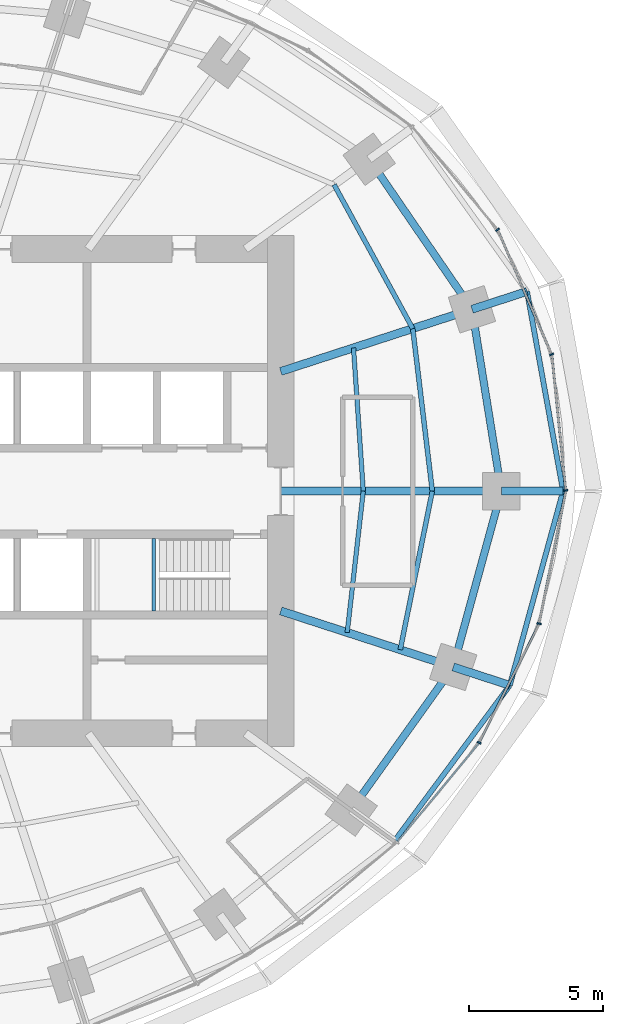
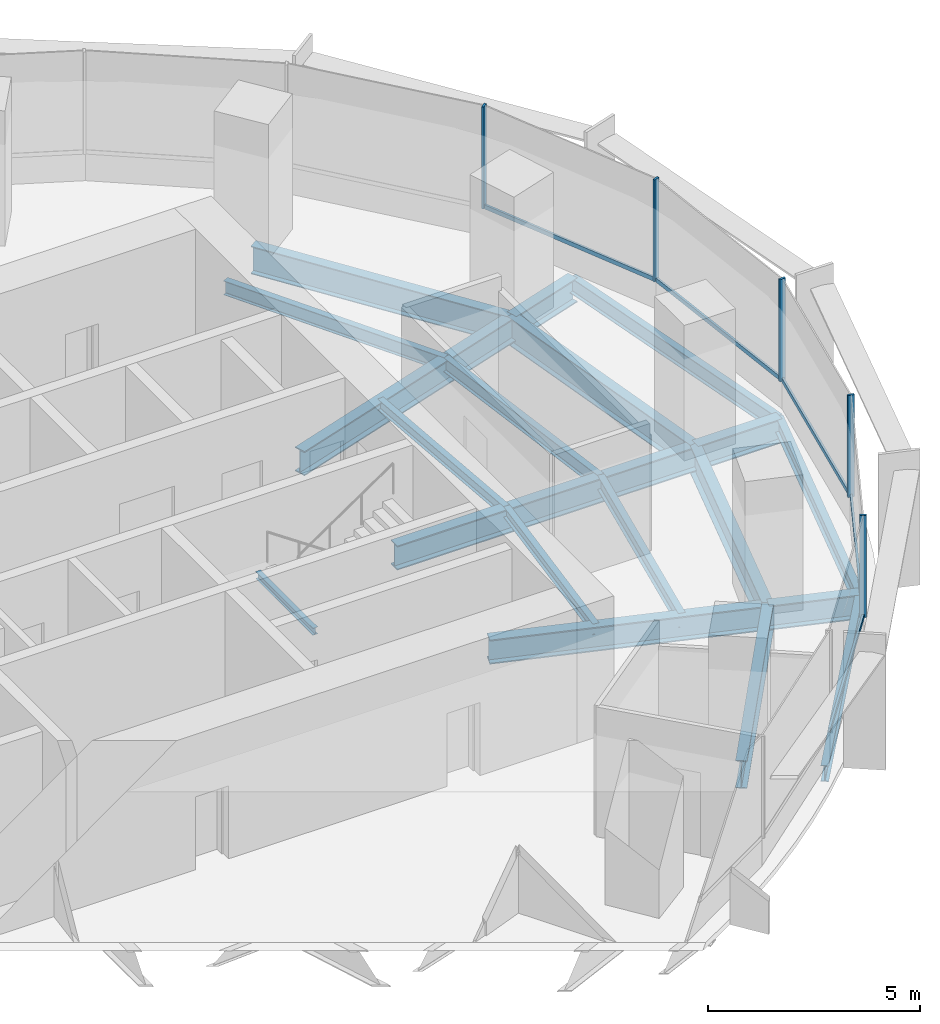
# One storey, part 6 of 15: 19 beams, 10 members, 2 elements without a shape of their own.
"""IFC4 building model written with IfcOpenShell, lengths in metres."""

from ifc_helpers import new_model, si_unit, direction, frame, origin, origin_2d, place, context, subcontext, project, spatial, rectangle, i_section, extrude, material, material_profile, profile_set, type_object, element, aggregate, save


model = new_model("IFC4")

# Units and contexts
model_context = context("Model", 3, precision=1e-05, world=origin(), true_north=direction((0.0, 1.0)))
body_context = subcontext(model_context, "Body", "Model", "MODEL_VIEW")
ifc_project = project(units=[si_unit("LENGTHUNIT", "METRE"), si_unit("AREAUNIT", "SQUARE_METRE"), si_unit("VOLUMEUNIT", "CUBIC_METRE"), si_unit("PLANEANGLEUNIT", "RADIAN"), si_unit("MASSUNIT", "GRAM", prefix="KILO")], contexts=[model_context])

# Site, building, storey
site_placement = place(None, origin())
site = spatial("IfcSite", under=ifc_project, at=site_placement, CompositionType="ELEMENT")
building_placement = place(site_placement, origin())
building = spatial("IfcBuilding", under=site, at=building_placement, Name="Marramba Exchange Tower", CompositionType="ELEMENT")
storey_placement = place(building_placement, frame((0.0, 0.0, 191.60009765625)))
storey = spatial("IfcBuildingStorey", under=building, at=storey_placement, Name="L46", CompositionType="ELEMENT", Elevation=191.60009765625)

# Beams
ifc_material_1 = material(Name="Steel AS/NZS 3679.2 grade 300", Category="steel")
ifc_material_profile_1 = material_profile(ifc_material_1, i_section(OverallWidth=0.300048828125, OverallDepth=0.699951171875, WebThickness=0.010009765625, FlangeThickness=0.031982421875, at=origin_2d()), Name="700WB173")
ifc_profile_set_1 = profile_set([ifc_material_profile_1], Name="Steel AS/NZS 3679.2 grade 300")
beam_type_1 = type_object("IfcBeamType", Name="Cantilever girder 700WB173", PredefinedType="BEAM", material=ifc_profile_set_1)
beam_1_placement = place(storey_placement, frame((21.89990234375, 0.0, -0.510009765625), z_axis=(1.0, 0.0, 0.0), x_axis=(0.0, 1.0, 0.0)))
element("IfcBeam", 1, at=beam_1_placement, inside=storey, type_object=beam_type_1, Name="Cantilever girder L46 TC01", PredefinedType="BEAM", context=body_context, shape_type="SweptSolid", body=[
    extrude(i_section(OverallWidth=0.300048828125, OverallDepth=0.699951171875, WebThickness=0.010009765625, FlangeThickness=0.031982421875, at=origin_2d()), origin(), (0.0, 0.0, 1.0), 2.294189453125),
])
beam_2_placement = place(storey_placement, frame((20.808349609375, 6.760986328125, -0.510009765625), z_axis=(0.951051587859, 0.309032162129, 0.0), x_axis=(-0.309032162129, 0.951051587859, 0.0)))
element("IfcBeam", 2, at=beam_2_placement, inside=storey, type_object=beam_type_1, Name="Cantilever girder L46 TC02", PredefinedType="BEAM", context=body_context, shape_type="SweptSolid", body=[
    extrude(i_section(OverallWidth=0.300048828125, OverallDepth=0.699951171875, WebThickness=0.010009765625, FlangeThickness=0.031982421875, at=origin_2d()), origin(), (0.0, 0.0, 1.0), 2.150390625),
])
beam_3_placement = place(storey_placement, frame((20.109375, -6.533935546875, -0.510009765625), z_axis=(0.951050283347, -0.309036176758, 0.0), x_axis=(0.309036176758, 0.951050283347, 0.0)))
element("IfcBeam", 3, at=beam_3_placement, inside=storey, type_object=beam_type_1, Name="Cantilever girder L46 TC20", PredefinedType="BEAM", context=body_context, shape_type="SweptSolid", body=[
    extrude(i_section(OverallWidth=0.300048828125, OverallDepth=0.699951171875, WebThickness=0.010009765625, FlangeThickness=0.031982421875, at=origin_2d()), origin(), (0.0, 0.0, 1.0), 2.212890625),
])
ifc_material_2 = material(Name="Steel AS/NZS 3679.1 grade 300", Category="steel")
ifc_material_profile_2 = material_profile(ifc_material_2, i_section(OverallWidth=0.166015625, OverallDepth=0.306884765625, WebThickness=0.006591796875, FlangeThickness=0.01171875, FilletRadius=0.011474609375, at=origin_2d()), Name="310UB46.2")
ifc_profile_set_2 = profile_set([ifc_material_profile_2], Name="Steel AS/NZS 3679.1 grade 300")
beam_type_2 = type_object("IfcBeamType", Name="Floor joist 310UB46.2", PredefinedType="JOIST", material=ifc_profile_set_2)
beam_4_placement = place(storey_placement, frame((16.7666015625, 0.0, -0.3134765625), z_axis=(-0.068096259546, 0.99767875563, 0.0), x_axis=(-0.99767875563, -0.068096259546, 0.0)))
element("IfcBeam", 4, at=beam_4_placement, inside=storey, type_object=beam_type_2, Name="Joist L46 bay 01 row 1", PredefinedType="JOIST", context=body_context, shape_type="SweptSolid", body=[
    extrude(i_section(OverallWidth=0.166015625, OverallDepth=0.306884765625, WebThickness=0.006591796875, FlangeThickness=0.01171875, FilletRadius=0.011474609375, at=origin_2d()), origin(), (0.0, 0.0, 1.0), 5.342041015625),
])
beam_5_placement = place(storey_placement, frame((16.169677734375, -5.25390625, -0.3134765625), z_axis=(0.112888968594, 0.993607609054, 0.0), x_axis=(-0.993607609054, 0.112888968594, 0.0)))
element("IfcBeam", 5, at=beam_5_placement, inside=storey, type_object=beam_type_2, Name="Joist L46 bay 20 row 1", PredefinedType="JOIST", context=body_context, shape_type="SweptSolid", body=[
    extrude(i_section(OverallWidth=0.166015625, OverallDepth=0.306884765625, WebThickness=0.006591796875, FlangeThickness=0.01171875, FilletRadius=0.011474609375, at=origin_2d()), origin(), (0.0, 0.0, 1.0), 5.28759765625),
])
ifc_material_profile_3 = material_profile(ifc_material_2, i_section(OverallWidth=0.177978515625, OverallDepth=0.406005859375, WebThickness=0.0078125, FlangeThickness=0.0126953125, FilletRadius=0.011474609375, at=origin_2d()), Name="410UB59.7")
ifc_profile_set_3 = profile_set([ifc_material_profile_3], Name="Steel AS/NZS 3679.1 grade 300")
beam_type_3 = type_object("IfcBeamType", Name="Floor joist 410UB59.7", PredefinedType="JOIST", material=ifc_profile_set_3)
beam_6_placement = place(storey_placement, frame((19.333251953125, 0.0, -0.363037109375), z_axis=(-0.119523078538, 0.992831422597, 0.0), x_axis=(-0.992831422597, -0.119523078538, 0.0)))
element("IfcBeam", 6, at=beam_6_placement, inside=storey, type_object=beam_type_3, Name="Joist L46 bay 01 row 2", PredefinedType="JOIST", context=body_context, shape_type="SweptSolid", body=[
    extrude(i_section(OverallWidth=0.177978515625, OverallDepth=0.406005859375, WebThickness=0.0078125, FlangeThickness=0.0126953125, FilletRadius=0.011474609375, at=origin_2d()), origin(), (0.0, 0.0, 1.0), 6.089111328125),
])
beam_7_placement = place(storey_placement, frame((18.60546875, 6.04541015625, -0.363037109375), z_axis=(-0.479584443791, 0.877495732909, 0.0), x_axis=(-0.877495732909, -0.479584443791, 0.0)))
element("IfcBeam", 7, at=beam_7_placement, inside=storey, type_object=beam_type_3, Name="Joist L46 bay 02 row 2", PredefinedType="JOIST", context=body_context, shape_type="SweptSolid", body=[
    extrude(i_section(OverallWidth=0.177978515625, OverallDepth=0.406005859375, WebThickness=0.0078125, FlangeThickness=0.0126953125, FilletRadius=0.011474609375, at=origin_2d()), origin(), (0.0, 0.0, 1.0), 6.094970703125),
])
beam_8_placement = place(storey_placement, frame((18.1396484375, -5.893798828125, -0.363037109375), z_axis=(0.198489047047, 0.980103105904, 0.0), x_axis=(-0.980103105904, 0.198489047047, 0.0)))
element("IfcBeam", 8, at=beam_8_placement, inside=storey, type_object=beam_type_3, Name="Joist L46 bay 20 row 2", PredefinedType="JOIST", context=body_context, shape_type="SweptSolid", body=[
    extrude(i_section(OverallWidth=0.177978515625, OverallDepth=0.406005859375, WebThickness=0.0078125, FlangeThickness=0.0126953125, FilletRadius=0.011474609375, at=origin_2d()), origin(), (0.0, 0.0, 1.0), 6.013427734375),
])

# Curtain wall, members
ifc_material_3 = material(Name="Aluminium framing, bronze anodised", Category="aluminium")
curtain_wall_type = type_object("IfcCurtainWallType", Name="Office ribbon curtain wall", PredefinedType="USERDEFINED", material=ifc_material_3)
curtain_wall_1_placement = place(storey_placement, origin())
curtain_wall_1 = element("IfcCurtainWall", 9, at=curtain_wall_1_placement, inside=storey, type_object=curtain_wall_type, Name="Curtain wall CW4 L46 F01-F05", ObjectType="RIBBON CURTAIN WALL", PredefinedType="USERDEFINED")
ifc_material_4 = material(Name="Aluminium mullion, bronze anodised", Category="aluminium")
ifc_material_profile_4 = material_profile(ifc_material_4, rectangle(XDim=0.159912109375, YDim=0.06005859375, at=origin_2d()), Name="CW4 mullion 60x160")
ifc_profile_set_4 = profile_set([ifc_material_profile_4], Name="Aluminium mullion, bronze anodised")
member_type_1 = type_object("IfcMemberType", Name="Office ribbon curtain wall mullion", PredefinedType="MULLION", material=ifc_profile_set_4)
member_1_placement = place(storey_placement, frame((24.291015625, 0.02978515625, 0.7998046875), z_axis=(0.0, 0.0, 1.0), x_axis=(-0.994843446001, -0.101422472607, 0.0)))
member_1 = element("IfcMember", 10, at=member_1_placement, type_object=member_type_1, Name="CW4 mullion 1", PredefinedType="MULLION", context=body_context, shape_type="SweptSolid", body=[
    extrude(rectangle(XDim=0.159912109375, YDim=0.06005859375, at=origin_2d()), origin(), (0.0, 0.0, 1.0), 2.940185546875),
])
member_2_placement = place(storey_placement, frame((23.766845703125, 5.081787109375, 0.7998046875), z_axis=(0.0, 0.0, 1.0), x_axis=(-0.918167104527, -0.396193346946, 0.0)))
member_2 = element("IfcMember", 11, at=member_2_placement, type_object=member_type_1, Name="CW4 mullion 1", PredefinedType="MULLION", context=body_context, shape_type="SweptSolid", body=[
    extrude(rectangle(XDim=0.159912109375, YDim=0.06005859375, at=origin_2d()), origin(), (0.0, 0.0, 1.0), 2.940185546875),
])
member_3_placement = place(storey_placement, frame((21.757080078125, 9.718505859375, 0.7998046875), z_axis=(0.0, 0.0, 1.0), x_axis=(-0.770574258342, -0.637350227411, 0.0)))
member_3 = element("IfcMember", 12, at=member_3_placement, type_object=member_type_1, Name="CW4 mullion 1", PredefinedType="MULLION", context=body_context, shape_type="SweptSolid", body=[
    extrude(rectangle(XDim=0.159912109375, YDim=0.06005859375, at=origin_2d()), origin(), (0.0, 0.0, 1.0), 2.940185546875),
])

curtain_wall_2_placement = place(storey_placement, origin())
curtain_wall_2 = element("IfcCurtainWall", 13, at=curtain_wall_2_placement, inside=storey, type_object=curtain_wall_type, Name="Curtain wall CW4 L46 F26-F30", ObjectType="RIBBON CURTAIN WALL", PredefinedType="USERDEFINED")
member_4_placement = place(storey_placement, frame((21.07568359375, -9.3505859375, 0.7998046875), z_axis=(0.0, 0.0, 1.0), x_axis=(-0.892689067591, 0.450673083956, 0.0)))
member_4 = element("IfcMember", 14, at=member_4_placement, type_object=member_type_1, Name="CW4 mullion 1", PredefinedType="MULLION", context=body_context, shape_type="SweptSolid", body=[
    extrude(rectangle(XDim=0.159912109375, YDim=0.06005859375, at=origin_2d()), origin(), (0.0, 0.0, 1.0), 2.940185546875),
])
member_5_placement = place(storey_placement, frame((23.30224609375, -4.92236328125, 0.7998046875), z_axis=(0.0, 0.0, 1.0), x_axis=(-0.980303812539, 0.197495405316, 0.0)))
member_5 = element("IfcMember", 15, at=member_5_placement, type_object=member_type_1, Name="CW4 mullion 1", PredefinedType="MULLION", context=body_context, shape_type="SweptSolid", body=[
    extrude(rectangle(XDim=0.159912109375, YDim=0.06005859375, at=origin_2d()), origin(), (0.0, 0.0, 1.0), 2.940185546875),
])

# Member
ifc_material_5 = material(Name="Aluminium transom, bronze anodised", Category="aluminium")
ifc_material_profile_5 = material_profile(ifc_material_5, rectangle(XDim=0.06005859375, YDim=0.1201171875, at=origin_2d()), Name="CW4 transom 60x120")
ifc_profile_set_5 = profile_set([ifc_material_profile_5], Name="Aluminium transom, bronze anodised")
member_type_2 = type_object("IfcMemberType", Name="Office ribbon curtain wall transom", PredefinedType="USERDEFINED", material=ifc_profile_set_5)
member_6_placement = place(storey_placement, frame((24.287841796875, 0.0595703125, 0.829833984375), z_axis=(-0.101386007846, 0.994847162841, 0.0), x_axis=(-0.994847162841, -0.101386007846, 0.0)))
member_6 = element("IfcMember", 16, at=member_6_placement, type_object=member_type_2, Name="CW4 sill transom", ObjectType="TRANSOM", PredefinedType="USERDEFINED", context=body_context, shape_type="SweptSolid", body=[
    extrude(rectangle(XDim=0.06005859375, YDim=0.1201171875, at=origin_2d()), origin(), (0.0, 0.0, 1.0), 5.020751953125),
])

member_7_placement = place(storey_placement, frame((23.7548828125, 5.109375, 0.829833984375), z_axis=(-0.396177573744, 0.918173910576, 0.0), x_axis=(-0.918173910576, -0.396177573744, 0.0)))
member_7 = element("IfcMember", 17, at=member_7_placement, type_object=member_type_2, Name="CW4 sill transom", ObjectType="TRANSOM", PredefinedType="USERDEFINED", context=body_context, shape_type="SweptSolid", body=[
    extrude(rectangle(XDim=0.06005859375, YDim=0.1201171875, at=origin_2d()), origin(), (0.0, 0.0, 1.0), 4.99462890625),
])

aggregate(curtain_wall_1, [member_1, member_6, member_2, member_7, member_3])

member_8_placement = place(storey_placement, frame((18.03515625, -13.029296875, 0.829833984375), z_axis=(0.638146908901, 0.76991462037, 0.0), x_axis=(-0.76991462037, 0.638146908901, 0.0)))
member_8 = element("IfcMember", 18, at=member_8_placement, type_object=member_type_2, Name="CW4 sill transom", ObjectType="TRANSOM", PredefinedType="USERDEFINED", context=body_context, shape_type="SweptSolid", body=[
    extrude(rectangle(XDim=0.06005859375, YDim=0.1201171875, at=origin_2d()), origin(), (0.0, 0.0, 1.0), 4.7431640625),
])

member_9_placement = place(storey_placement, frame((21.089111328125, -9.323974609375, 0.829833984375), z_axis=(0.450679681949, 0.892685736572, 0.0), x_axis=(-0.892685736572, 0.450679681949, 0.0)))
member_9 = element("IfcMember", 19, at=member_9_placement, type_object=member_type_2, Name="CW4 sill transom", ObjectType="TRANSOM", PredefinedType="USERDEFINED", context=body_context, shape_type="SweptSolid", body=[
    extrude(rectangle(XDim=0.06005859375, YDim=0.1201171875, at=origin_2d()), origin(), (0.0, 0.0, 1.0), 4.897705078125),
])

member_10_placement = place(storey_placement, frame((23.308349609375, -4.89306640625, 0.829833984375), z_axis=(0.197461053167, 0.980310732616, 0.0), x_axis=(-0.980310732616, 0.197461053167, 0.0)))
member_10 = element("IfcMember", 20, at=member_10_placement, type_object=member_type_2, Name="CW4 sill transom", ObjectType="TRANSOM", PredefinedType="USERDEFINED", context=body_context, shape_type="SweptSolid", body=[
    extrude(rectangle(XDim=0.06005859375, YDim=0.1201171875, at=origin_2d()), origin(), (0.0, 0.0, 1.0), 4.991455078125),
])

aggregate(curtain_wall_2, [member_8, member_4, member_9, member_5, member_10])

# Beams
ifc_material_profile_6 = material_profile(ifc_material_1, i_section(OverallWidth=0.300048828125, OverallDepth=0.699951171875, WebThickness=0.010009765625, FlangeThickness=0.031982421875, at=origin_2d()), Name="700WB173")
ifc_profile_set_6 = profile_set([ifc_material_profile_6], Name="Steel AS/NZS 3679.2 grade 300")
beam_type_4 = type_object("IfcBeamType", Name="Radial girder 700WB173", PredefinedType="BEAM", material=ifc_profile_set_6)
beam_9_placement = place(storey_placement, frame((13.699951171875, 0.0, -0.510009765625), z_axis=(1.0, 0.0, 0.0), x_axis=(0.0, 1.0, 0.0)))
element("IfcBeam", 21, at=beam_9_placement, inside=storey, type_object=beam_type_4, Name="Radial girder L46 TC01", PredefinedType="BEAM", context=body_context, shape_type="SweptSolid", body=[
    extrude(i_section(OverallWidth=0.300048828125, OverallDepth=0.699951171875, WebThickness=0.010009765625, FlangeThickness=0.031982421875, at=origin_2d()), origin(), (0.0, 0.0, 1.0), 8.199951171875),
])
beam_10_placement = place(storey_placement, frame((13.699951171875, 4.451416015625, -0.510009765625), z_axis=(0.951059990189, 0.309006302624, 0.0), x_axis=(-0.309006302624, 0.951059990189, 0.0)))
element("IfcBeam", 22, at=beam_10_placement, inside=storey, type_object=beam_type_4, Name="Radial girder L46 TC02", PredefinedType="BEAM", context=body_context, shape_type="SweptSolid", body=[
    extrude(i_section(OverallWidth=0.300048828125, OverallDepth=0.699951171875, WebThickness=0.010009765625, FlangeThickness=0.031982421875, at=origin_2d()), origin(), (0.0, 0.0, 1.0), 7.47412109375),
])
beam_11_placement = place(storey_placement, frame((13.699951171875, -4.451416015625, -0.510009765625), z_axis=(0.951057759669, -0.309013167637, 0.0), x_axis=(0.309013167637, 0.951057759669, 0.0)))
element("IfcBeam", 23, at=beam_11_placement, inside=storey, type_object=beam_type_4, Name="Radial girder L46 TC20", PredefinedType="BEAM", context=body_context, shape_type="SweptSolid", body=[
    extrude(i_section(OverallWidth=0.300048828125, OverallDepth=0.699951171875, WebThickness=0.010009765625, FlangeThickness=0.031982421875, at=origin_2d()), origin(), (0.0, 0.0, 1.0), 6.7392578125),
])
ifc_material_profile_7 = material_profile(ifc_material_1, i_section(OverallWidth=0.27490234375, OverallDepth=0.800048828125, WebThickness=0.010009765625, FlangeThickness=0.02490234375, at=origin_2d()), Name="800WB168")
ifc_profile_set_7 = profile_set([ifc_material_profile_7], Name="Steel AS/NZS 3679.2 grade 300")
beam_type_5 = type_object("IfcBeamType", Name="Ring beam 800WB168", PredefinedType="SPANDREL", material=ifc_profile_set_7)
beam_12_placement = place(storey_placement, frame((21.89990234375, 0.0, -0.56005859375), z_axis=(-0.159384865399, 0.987216523708, 0.0), x_axis=(-0.987216523708, -0.159384865399, 0.0)))
element("IfcBeam", 24, at=beam_12_placement, inside=storey, type_object=beam_type_5, Name="Ring beam L46 TC01-TC02", PredefinedType="SPANDREL", context=body_context, shape_type="SweptSolid", body=[
    extrude(i_section(OverallWidth=0.27490234375, OverallDepth=0.800048828125, WebThickness=0.010009765625, FlangeThickness=0.02490234375, at=origin_2d()), origin(), (0.0, 0.0, 1.0), 6.8486328125),
])
beam_13_placement = place(storey_placement, frame((20.808349609375, 6.760986328125, -0.56005859375), z_axis=(-0.56516002054, 0.824981303535, 0.0), x_axis=(-0.824981303535, -0.56516002054, 0.0)))
element("IfcBeam", 25, at=beam_13_placement, inside=storey, type_object=beam_type_5, Name="Ring beam L46 TC02-TC03", PredefinedType="SPANDREL", context=body_context, shape_type="SweptSolid", body=[
    extrude(i_section(OverallWidth=0.27490234375, OverallDepth=0.800048828125, WebThickness=0.010009765625, FlangeThickness=0.02490234375, at=origin_2d()), origin(), (0.0, 0.0, 1.0), 6.763671875),
])
beam_14_placement = place(storey_placement, frame((16.3154296875, -11.853759765625, -0.56005859375), z_axis=(0.580637181111, 0.814162430914, 0.0), x_axis=(-0.814162430914, 0.580637181111, 0.0)))
element("IfcBeam", 26, at=beam_14_placement, inside=storey, type_object=beam_type_5, Name="Ring beam L46 TC19-TC20", PredefinedType="SPANDREL", context=body_context, shape_type="SweptSolid", body=[
    extrude(i_section(OverallWidth=0.27490234375, OverallDepth=0.800048828125, WebThickness=0.010009765625, FlangeThickness=0.02490234375, at=origin_2d()), origin(), (0.0, 0.0, 1.0), 6.5341796875),
])
beam_15_placement = place(storey_placement, frame((20.109375, -6.533935546875, -0.56005859375), z_axis=(0.264291166956, 0.964442937176, 0.0), x_axis=(-0.964442937176, 0.264291166956, 0.0)))
element("IfcBeam", 27, at=beam_15_placement, inside=storey, type_object=beam_type_5, Name="Ring beam L46 TC20-TC01", PredefinedType="SPANDREL", context=body_context, shape_type="SweptSolid", body=[
    extrude(i_section(OverallWidth=0.27490234375, OverallDepth=0.800048828125, WebThickness=0.010009765625, FlangeThickness=0.02490234375, at=origin_2d()), origin(), (0.0, 0.0, 1.0), 6.77490234375),
])
ifc_material_profile_8 = material_profile(ifc_material_2, i_section(OverallWidth=0.19091796875, OverallDepth=0.4599609375, WebThickness=0.010009765625, FlangeThickness=0.01611328125, FilletRadius=0.011474609375, at=origin_2d()), Name="460UB82.1")
ifc_profile_set_8 = profile_set([ifc_material_profile_8], Name="Steel AS/NZS 3679.1 grade 300")
beam_type_6 = type_object("IfcBeamType", Name="Slab edge beam 460UB82.1", PredefinedType="SPANDREL", material=ifc_profile_set_8)
beam_16_placement = place(storey_placement, frame((24.194091796875, 0.0, -0.39013671875), z_axis=(-0.177663817107, 0.984091239719, 0.0), x_axis=(-0.984091239719, -0.177663817107, 0.0)))
element("IfcBeam", 28, at=beam_16_placement, inside=storey, type_object=beam_type_6, Name="Slab edge beam L46 TC01-TC02", PredefinedType="SPANDREL", context=body_context, shape_type="SweptSolid", body=[
    extrude(i_section(OverallWidth=0.19091796875, OverallDepth=0.4599609375, WebThickness=0.010009765625, FlangeThickness=0.01611328125, FilletRadius=0.011474609375, at=origin_2d()), origin(), (0.0, 0.0, 1.0), 7.545654296875),
])
beam_17_placement = place(storey_placement, frame((17.916015625, -13.016845703125, -0.39013671875), z_axis=(0.595428136035, 0.803408572781, 0.0), x_axis=(-0.803408572781, 0.595428136035, 0.0)))
element("IfcBeam", 29, at=beam_17_placement, inside=storey, type_object=beam_type_6, Name="Slab edge beam L46 TC19-TC20", PredefinedType="SPANDREL", context=body_context, shape_type="SweptSolid", body=[
    extrude(i_section(OverallWidth=0.19091796875, OverallDepth=0.4599609375, WebThickness=0.010009765625, FlangeThickness=0.01611328125, FilletRadius=0.011474609375, at=origin_2d()), origin(), (0.0, 0.0, 1.0), 7.218017578125),
])
beam_18_placement = place(storey_placement, frame((22.2138671875, -7.2177734375, -0.39013671875), z_axis=(0.264577205901, 0.964364506874, 0.0), x_axis=(-0.964364506874, 0.264577205901, 0.0)))
element("IfcBeam", 30, at=beam_18_placement, inside=storey, type_object=beam_type_6, Name="Slab edge beam L46 TC20-TC01", PredefinedType="SPANDREL", context=body_context, shape_type="SweptSolid", body=[
    extrude(i_section(OverallWidth=0.19091796875, OverallDepth=0.4599609375, WebThickness=0.010009765625, FlangeThickness=0.01611328125, FilletRadius=0.011474609375, at=origin_2d()), origin(), (0.0, 0.0, 1.0), 7.484375),
])
ifc_material_profile_9 = material_profile(ifc_material_2, i_section(OverallWidth=0.133056640625, OverallDepth=0.202880859375, WebThickness=0.005859375, FlangeThickness=0.0078125, FilletRadius=0.0087890625, at=origin_2d()), Name="200UB25.4")
ifc_profile_set_9 = profile_set([ifc_material_profile_9], Name="Steel AS/NZS 3679.1 grade 300")
beam_type_7 = type_object("IfcBeamType", Name="Stair landing beam 200UB25.4", PredefinedType="BEAM", material=ifc_profile_set_9)
beam_19_placement = place(storey_placement, frame((8.9833984375, -4.449951171875, 1.6484375), z_axis=(0.0, 1.0, 0.0), x_axis=(-1.0, 0.0, 0.0)))
element("IfcBeam", 31, at=beam_19_placement, inside=storey, type_object=beam_type_7, Name="Stair landing beam SLB1 ST2 L46 2", PredefinedType="BEAM", context=body_context, shape_type="SweptSolid", body=[
    extrude(i_section(OverallWidth=0.133056640625, OverallDepth=0.202880859375, WebThickness=0.005859375, FlangeThickness=0.0078125, FilletRadius=0.0087890625, at=origin_2d()), origin(), (0.0, 0.0, 1.0), 2.699951171875),
])

save(model, "model.ifc")
